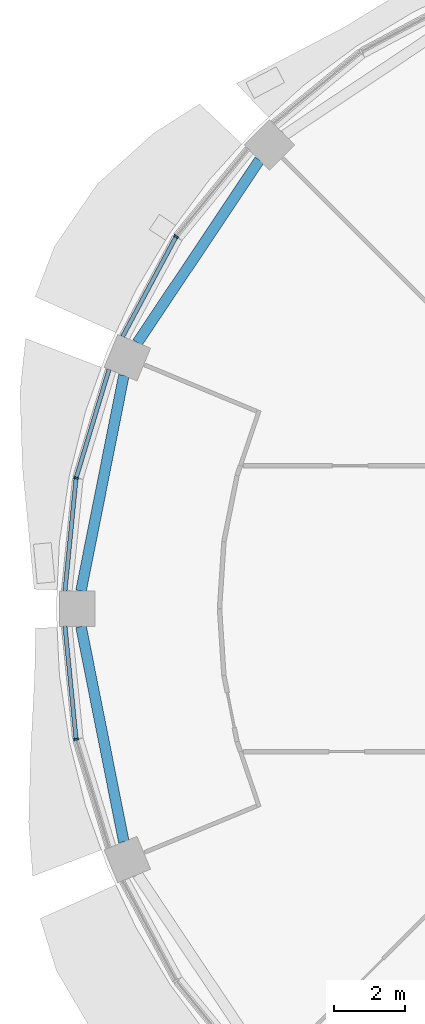
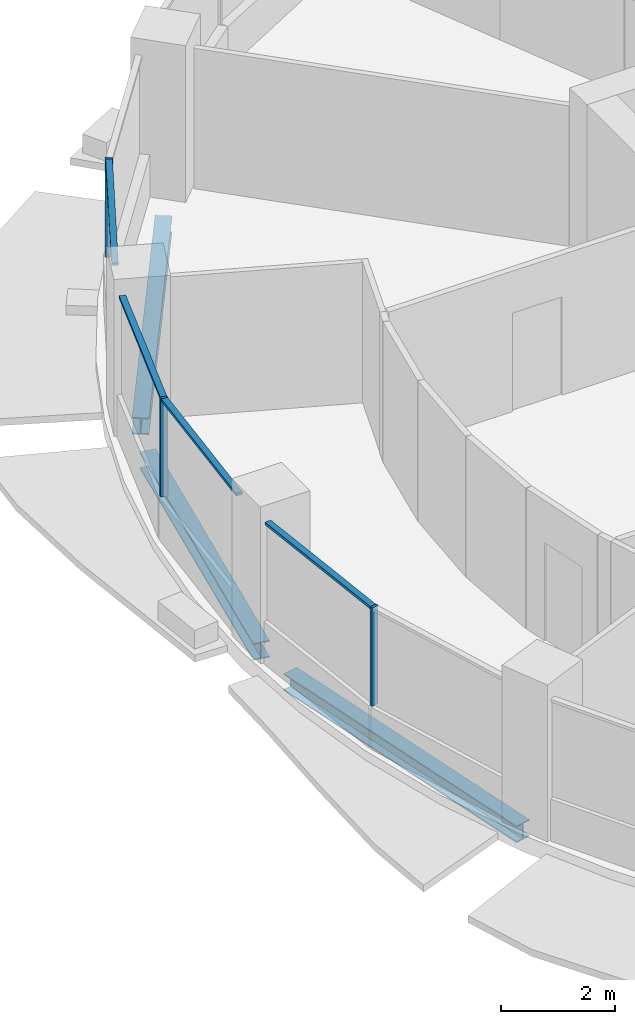
# One storey, part 4 of 15: 7 members, 3 beams, 3 elements without a shape of their own.
"""IFC4 building model written with IfcOpenShell, lengths in metres."""

from ifc_helpers import new_model, si_unit, direction, frame, origin, origin_2d, place, context, subcontext, project, spatial, rectangle, i_section, extrude, material, material_profile, profile_set, type_object, element, aggregate, save


model = new_model("IFC4")

# Units and contexts
model_context = context("Model", 3, precision=1e-05, world=origin(), true_north=direction((0.0, 1.0)))
body_context = subcontext(model_context, "Body", "Model", "MODEL_VIEW")
ifc_project = project(units=[si_unit("LENGTHUNIT", "METRE"), si_unit("AREAUNIT", "SQUARE_METRE"), si_unit("VOLUMEUNIT", "CUBIC_METRE"), si_unit("PLANEANGLEUNIT", "RADIAN"), si_unit("MASSUNIT", "GRAM", prefix="KILO")], contexts=[model_context])

# Site, building, storey
site_placement = place(None, origin())
site = spatial("IfcSite", under=ifc_project, at=site_placement, CompositionType="ELEMENT")
building_placement = place(site_placement, origin())
building = spatial("IfcBuilding", under=site, at=building_placement, Name="Polderwave Tower", CompositionType="ELEMENT")
storey_placement = place(building_placement, frame((0.0, 0.0, 127.64990234375)))
storey = spatial("IfcBuildingStorey", under=building, at=storey_placement, Name="L33", CompositionType="ELEMENT", Elevation=127.64990234375)

# Curtain wall, member
ifc_material_1 = material(Name="Aluminium 6063-T6 and glass", Category="aluminium")
curtain_wall_type = type_object("IfcCurtainWallType", Name="Office ribbon glazing wall", PredefinedType="NOTDEFINED", material=ifc_material_1)
curtain_wall_1_placement = place(storey_placement, origin())
curtain_wall_1 = element("IfcCurtainWall", 1, at=curtain_wall_1_placement, inside=storey, type_object=curtain_wall_type, Name="CW3 L33 06", PredefinedType="NOTDEFINED")
ifc_material_2 = material(Name="Aluminium 6063-T6", Category="aluminium")
ifc_material_profile_1 = material_profile(ifc_material_2, rectangle(XDim=0.139892578125, YDim=0.054931640625, at=origin_2d()), Name="AL 55x140")
ifc_profile_set_1 = profile_set([ifc_material_profile_1], Name="Aluminium 6063-T6")
member_type_1 = type_object("IfcMemberType", Name="Office ribbon glazing mullion 55x140", PredefinedType="MULLION", material=ifc_profile_set_1)
member_1_placement = place(storey_placement, frame((-15.681884765625, 10.47802734375, 0.900146484375), z_axis=(0.0, 0.0, 1.0), x_axis=(0.831453127836, -0.555594902975, 0.0)))
member_1 = element("IfcMember", 2, at=member_1_placement, type_object=member_type_1, Name="CW3 mullion 1", PredefinedType="MULLION", context=body_context, shape_type="SweptSolid", body=[
    extrude(rectangle(XDim=0.139892578125, YDim=0.054931640625, at=origin_2d()), origin(), (0.0, 0.0, 1.0), 2.099853515625),
])

curtain_wall_2_placement = place(storey_placement, origin())
curtain_wall_2 = element("IfcCurtainWall", 3, at=curtain_wall_2_placement, inside=storey, type_object=curtain_wall_type, Name="CW3 L33 07", PredefinedType="NOTDEFINED")
member_2_placement = place(storey_placement, frame((-18.498046875, 3.678955078125, 0.900146484375), z_axis=(0.0, 0.0, 1.0), x_axis=(0.98077778875, -0.195127981324, 0.0)))
member_2 = element("IfcMember", 4, at=member_2_placement, type_object=member_type_1, Name="CW3 mullion 1", PredefinedType="MULLION", context=body_context, shape_type="SweptSolid", body=[
    extrude(rectangle(XDim=0.139892578125, YDim=0.054931640625, at=origin_2d()), origin(), (0.0, 0.0, 1.0), 2.099853515625),
])

curtain_wall_3_placement = place(storey_placement, origin())
curtain_wall_3 = element("IfcCurtainWall", 5, at=curtain_wall_3_placement, inside=storey, type_object=curtain_wall_type, Name="CW3 L33 08", PredefinedType="NOTDEFINED")
member_3_placement = place(storey_placement, frame((-18.498046875, -3.678955078125, 0.900146484375), z_axis=(0.0, 0.0, 1.0), x_axis=(0.98077778875, 0.195127981324, 0.0)))
member_3 = element("IfcMember", 6, at=member_3_placement, type_object=member_type_1, Name="CW3 mullion 1", PredefinedType="MULLION", context=body_context, shape_type="SweptSolid", body=[
    extrude(rectangle(XDim=0.139892578125, YDim=0.054931640625, at=origin_2d()), origin(), (0.0, 0.0, 1.0), 2.099853515625),
])

# Member
ifc_material_profile_2 = material_profile(ifc_material_2, rectangle(XDim=0.1201171875, YDim=0.06005859375, at=origin_2d()), Name="AL 60x120")
ifc_profile_set_2 = profile_set([ifc_material_profile_2], Name="Aluminium 6063-T6")
member_type_2 = type_object("IfcMemberType", Name="Office ribbon glazing transom 60x120", PredefinedType="USERDEFINED", material=ifc_profile_set_2)
member_4_placement = place(storey_placement, frame((-15.695068359375, 10.45361328125, 2.97021484375), z_axis=(-0.471440336956, -0.881897958208, 0.0), x_axis=(0.881897958208, -0.471440336956, 0.0)))
member_4 = element("IfcMember", 7, at=member_4_placement, type_object=member_type_2, Name="CW3 transom 2", ObjectType="TRANSOM", PredefinedType="USERDEFINED", context=body_context, shape_type="SweptSolid", body=[
    extrude(rectangle(XDim=0.1201171875, YDim=0.06005859375, at=origin_2d()), origin(), (0.0, 0.0, 1.0), 3.166748046875),
])

aggregate(curtain_wall_1, [member_1, member_4])

member_5_placement = place(storey_placement, frame((-17.570068359375, 6.737060546875, 2.97021484375), z_axis=(-0.290358126892, -0.95691805195, 0.0), x_axis=(0.95691805195, -0.290358126892, 0.0)))
member_5 = element("IfcMember", 8, at=member_5_placement, type_object=member_type_2, Name="CW3 transom 1", ObjectType="TRANSOM", PredefinedType="USERDEFINED", context=body_context, shape_type="SweptSolid", body=[
    extrude(rectangle(XDim=0.1201171875, YDim=0.06005859375, at=origin_2d()), origin(), (0.0, 0.0, 1.0), 3.168212890625),
])

member_6_placement = place(storey_placement, frame((-18.500732421875, 3.651611328125, 2.97021484375), z_axis=(-0.09798465056, -0.9951879261, 0.0), x_axis=(0.9951879261, -0.09798465056, 0.0)))
member_6 = element("IfcMember", 9, at=member_6_placement, type_object=member_type_2, Name="CW3 transom 2", ObjectType="TRANSOM", PredefinedType="USERDEFINED", context=body_context, shape_type="SweptSolid", body=[
    extrude(rectangle(XDim=0.1201171875, YDim=0.06005859375, at=origin_2d()), origin(), (0.0, 0.0, 1.0), 3.166748046875),
])

aggregate(curtain_wall_2, [member_2, member_5, member_6])

member_7_placement = place(storey_placement, frame((-18.81103515625, -0.5, 2.97021484375), z_axis=(0.09798465056, -0.9951879261, 0.0), x_axis=(0.9951879261, 0.09798465056, 0.0)))
member_7 = element("IfcMember", 10, at=member_7_placement, type_object=member_type_2, Name="CW3 transom 1", ObjectType="TRANSOM", PredefinedType="USERDEFINED", context=body_context, shape_type="SweptSolid", body=[
    extrude(rectangle(XDim=0.1201171875, YDim=0.06005859375, at=origin_2d()), origin(), (0.0, 0.0, 1.0), 3.166748046875),
])

aggregate(curtain_wall_3, [member_3, member_7])

# Beams
ifc_material_3 = material(Name="Steel S355", Category="steel")
ifc_material_profile_3 = material_profile(ifc_material_3, i_section(OverallWidth=0.300048828125, OverallDepth=0.360107421875, WebThickness=0.012451171875, FlangeThickness=0.0224609375, at=origin_2d()), Name="HE 360 B")
ifc_profile_set_3 = profile_set([ifc_material_profile_3], Name="Steel S355")
beam_type = type_object("IfcBeamType", Name="RING BEAM HE 360 B", PredefinedType="BEAM", material=ifc_profile_set_3)
beam_placement = place(storey_placement, frame((-13.33642578125, 12.62939453125, -0.52978515625), z_axis=(-0.555556426907, -0.831478837086, 0.0), x_axis=(0.831478837086, -0.555556426907, 0.0)))
element("IfcBeam", 11, at=beam_placement, inside=storey, type_object=beam_type, Name="ST-RB-L33-06", PredefinedType="BEAM", context=body_context, shape_type="SweptSolid", body=[
    extrude(i_section(OverallWidth=0.300048828125, OverallDepth=0.360107421875, WebThickness=0.012451171875, FlangeThickness=0.0224609375, at=origin_2d()), origin(), (0.0, 0.0, 1.0), 6.18310546875),
])
for number, where, z_axis, x_axis, name in (
    (12, (-17.154296875, 6.564453125, -0.52978515625), (-0.195090959886, -0.980785153523, 0.0), (0.980785153523, -0.195090959886, 0.0), "ST-RB-L33-07"),
    (13, (-18.360595703125, -0.5, -0.52978515625), (0.195090959886, -0.980785153523, 0.0), (0.980785153523, 0.195090959886, 0.0), "ST-RB-L33-08"),
):
    element("IfcBeam", number, at=place(storey_placement, frame(where, z_axis=z_axis, x_axis=x_axis)), inside=storey, type_object=beam_type, Name=name, PredefinedType="BEAM", context=body_context, shape_type="SweptSolid", body=[
        extrude(i_section(OverallWidth=0.300048828125, OverallDepth=0.360107421875, WebThickness=0.012451171875, FlangeThickness=0.0224609375, at=origin_2d()), origin(), (0.0, 0.0, 1.0), 6.183349609375),
    ])

save(model, "model.ifc")
